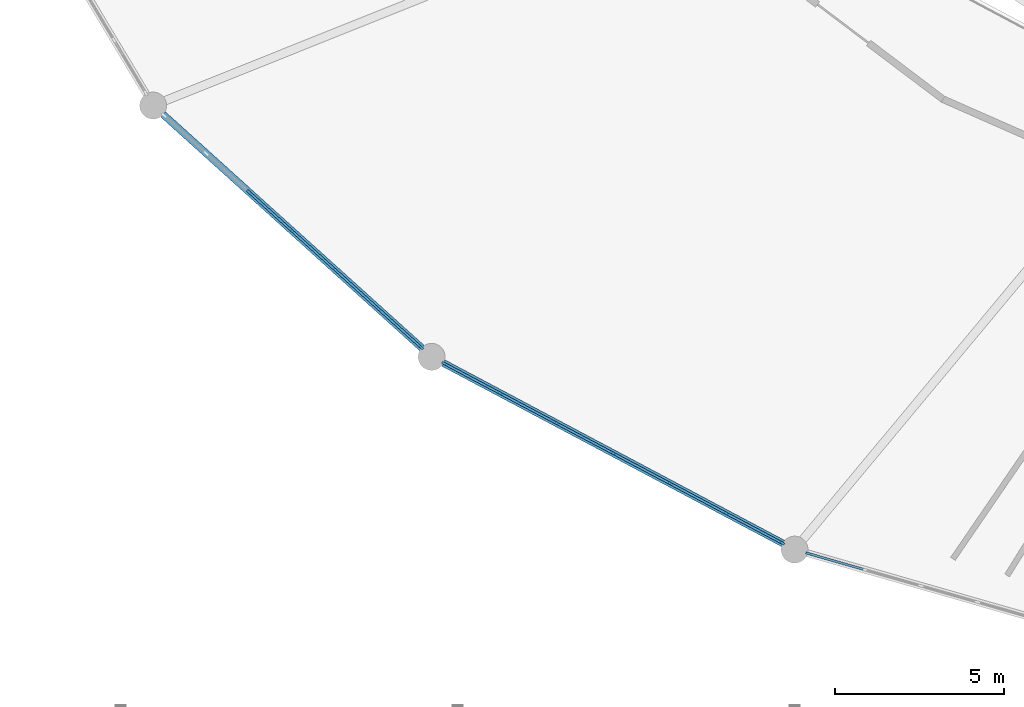
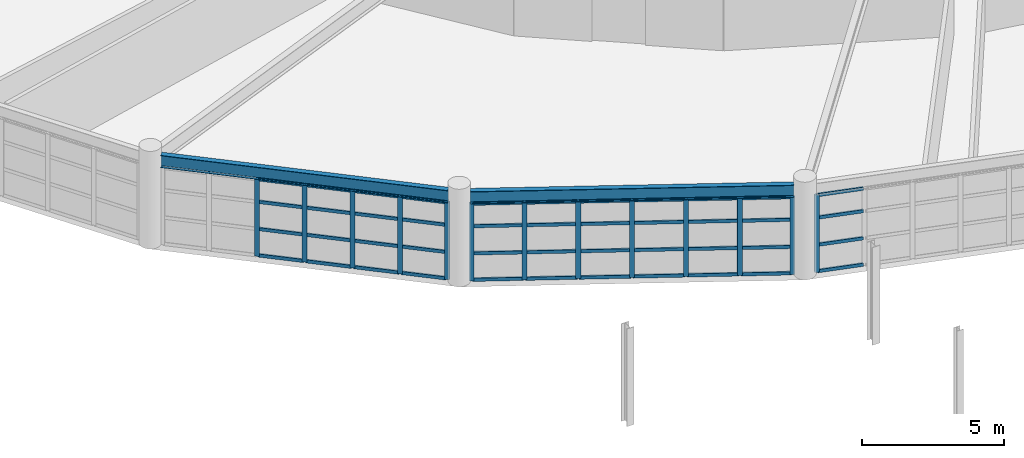
# One storey, part 24 of 100: 57 members, 2 beams, 3 elements without a shape of their own.
"""IFC4 building model written with IfcOpenShell, lengths in metres."""

from ifc_helpers import new_model, si_unit, direction, frame, origin, origin_2d, place, context, subcontext, project, spatial, rectangle, i_section, extrude, material, layer, layer_set, material_profile, profile_set, type_object, element, aggregate, save


model = new_model("IFC4")

# Units and contexts
model_context = context("Model", 3, precision=1e-05, world=origin(), true_north=direction((0.0, 1.0)))
body_context = subcontext(model_context, "Body", "Model", "MODEL_VIEW")
ifc_project = project(units=[si_unit("LENGTHUNIT", "METRE"), si_unit("AREAUNIT", "SQUARE_METRE"), si_unit("VOLUMEUNIT", "CUBIC_METRE"), si_unit("PLANEANGLEUNIT", "RADIAN"), si_unit("MASSUNIT", "GRAM", prefix="KILO")], contexts=[model_context])

# Site, building, storey
site_placement = place(None, origin())
site = spatial("IfcSite", under=ifc_project, at=site_placement, CompositionType="ELEMENT")
building_placement = place(site_placement, origin())
building = spatial("IfcBuilding", under=site, at=building_placement, Name="Kivolera Central Railway Station", CompositionType="ELEMENT")
storey_placement = place(building_placement, frame((0.0, 0.0, 5.39990234375)))
storey = spatial("IfcBuildingStorey", under=building, at=storey_placement, Name="L01", CompositionType="ELEMENT", Elevation=5.39990234375)

# Beams
ifc_material_1 = material(Name="Steel S355", Category="steel")
ifc_material_profile_1 = material_profile(ifc_material_1, i_section(OverallWidth=0.209228515625, OverallDepth=0.533203125, WebThickness=0.010009765625, FlangeThickness=0.015625, FilletRadius=0.0126953125, at=origin_2d()), Name="UB 533x210x92")
ifc_profile_set_1 = profile_set([ifc_material_profile_1], Name="Steel S355")
beam_type = type_object("IfcBeamType", Name="BM-SHD-UB533", PredefinedType="BEAM", material=ifc_profile_set_1)
beam_1_placement = place(storey_placement, frame((19.257080078125, 71.739013671875, 3.611083984375), z_axis=(0.742356199881, -0.670005427215, 0.0), x_axis=(0.670005427215, 0.742356199881, 0.0)))
element("IfcBeam", 1, at=beam_1_placement, inside=storey, type_object=beam_type, Name="L01 Oval Perimeter Ring Beam 15", PredefinedType="BEAM", context=body_context, shape_type="SweptSolid", body=[
    extrude(i_section(OverallWidth=0.209228515625, OverallDepth=0.533203125, WebThickness=0.010009765625, FlangeThickness=0.015625, FilletRadius=0.0126953125, at=origin_2d()), origin(), (0.0, 0.0, 1.0), 10.349365234375),
])
beam_2_placement = place(storey_placement, frame((27.573974609375, 64.361083984375, 3.611083984375), z_axis=(0.883155588993, -0.469080169725, 0.0), x_axis=(0.469080169725, 0.883155588993, 0.0)))
element("IfcBeam", 2, at=beam_2_placement, inside=storey, type_object=beam_type, Name="L01 Oval Perimeter Ring Beam 16", PredefinedType="BEAM", context=body_context, shape_type="SweptSolid", body=[
    extrude(i_section(OverallWidth=0.209228515625, OverallDepth=0.533203125, WebThickness=0.010009765625, FlangeThickness=0.015625, FilletRadius=0.0126953125, at=origin_2d()), origin(), (0.0, 0.0, 1.0), 11.416015625),
])

# Curtain wall, members
ifc_material_2 = material(Name="Anodised aluminium", Category="aluminium")
ifc_layer_1 = layer(ifc_material_2, 0.179931640625, Name="Anodised aluminium")
ifc_layer_set_1 = layer_set([ifc_layer_1], Name="Anodised aluminium")
curtain_wall_type_1 = type_object("IfcCurtainWallType", Name="CW-SYS-05", PredefinedType="NOTDEFINED", material=ifc_layer_set_1)
curtain_wall_1_placement = place(storey_placement, origin())
curtain_wall_1 = element("IfcCurtainWall", 3, at=curtain_wall_1_placement, inside=storey, type_object=curtain_wall_type_1, Name="L01 Curtain Wall CW-L01-OVL-14", PredefinedType="NOTDEFINED")
ifc_material_profile_2 = material_profile(ifc_material_2, rectangle(XDim=0.070068359375, YDim=0.179931640625, at=origin_2d()), Name="ALU MULL 70x180")
ifc_profile_set_2 = profile_set([ifc_material_profile_2], Name="Anodised aluminium")
member_type_1 = type_object("IfcMemberType", Name="CWM-MUL-1", PredefinedType="MULLION", material=ifc_profile_set_2)
member_1_placement = place(storey_placement, frame((26.906982421875, 64.83544921875, -0.0048828125), z_axis=(0.0, 0.0, 1.0), x_axis=(-0.66992157428, -0.742431871833, 0.0)))
member_1 = element("IfcMember", 4, at=member_1_placement, type_object=member_type_1, Name="CW-05 mullion 1", PredefinedType="MULLION", context=body_context, shape_type="SweptSolid", body=[
    extrude(rectangle(XDim=0.070068359375, YDim=0.179931640625, at=origin_2d()), origin(), (0.0, 0.0, 1.0), 3.344970703125),
])
member_2_placement = place(storey_placement, frame((25.65478515625, 65.96533203125, -0.0048828125), z_axis=(0.0, 0.0, 1.0), x_axis=(-0.66992157428, -0.742431871833, 0.0)))
member_2 = element("IfcMember", 5, at=member_2_placement, type_object=member_type_1, Name="CW-05 mullion 2", PredefinedType="MULLION", context=body_context, shape_type="SweptSolid", body=[
    extrude(rectangle(XDim=0.070068359375, YDim=0.179931640625, at=origin_2d()), origin(), (0.0, 0.0, 1.0), 3.344970703125),
])
member_3_placement = place(storey_placement, frame((24.376708984375, 67.11865234375, -0.0048828125), z_axis=(0.0, 0.0, 1.0), x_axis=(-0.66992157428, -0.742431871833, 0.0)))
member_3 = element("IfcMember", 6, at=member_3_placement, type_object=member_type_1, Name="CW-05 mullion 3", PredefinedType="MULLION", context=body_context, shape_type="SweptSolid", body=[
    extrude(rectangle(XDim=0.070068359375, YDim=0.179931640625, at=origin_2d()), origin(), (0.0, 0.0, 1.0), 3.344970703125),
])
member_4_placement = place(storey_placement, frame((23.098388671875, 68.27197265625, -0.0048828125), z_axis=(0.0, 0.0, 1.0), x_axis=(-0.66992157428, -0.742431871833, 0.0)))
member_4 = element("IfcMember", 7, at=member_4_placement, type_object=member_type_1, Name="CW-05 mullion 4", PredefinedType="MULLION", context=body_context, shape_type="SweptSolid", body=[
    extrude(rectangle(XDim=0.070068359375, YDim=0.179931640625, at=origin_2d()), origin(), (0.0, 0.0, 1.0), 3.344970703125),
])
member_5_placement = place(storey_placement, frame((21.8203125, 69.42529296875, -0.0048828125), z_axis=(0.0, 0.0, 1.0), x_axis=(-0.66992157428, -0.742431871833, 0.0)))
member_5 = element("IfcMember", 8, at=member_5_placement, type_object=member_type_1, Name="CW-05 mullion 5", PredefinedType="MULLION", context=body_context, shape_type="SweptSolid", body=[
    extrude(rectangle(XDim=0.070068359375, YDim=0.179931640625, at=origin_2d()), origin(), (0.0, 0.0, 1.0), 3.344970703125),
])

ifc_layer_2 = layer(ifc_material_2, 0.179931640625, Name="Anodised aluminium")
ifc_layer_set_2 = layer_set([ifc_layer_2], Name="Anodised aluminium")
curtain_wall_type_2 = type_object("IfcCurtainWallType", Name="CW-SYS-08", PredefinedType="NOTDEFINED", material=ifc_layer_set_2)
curtain_wall_2_placement = place(storey_placement, origin())
curtain_wall_2 = element("IfcCurtainWall", 9, at=curtain_wall_2_placement, inside=storey, type_object=curtain_wall_type_2, Name="L01 Curtain Wall CW-L01-OVL-15", PredefinedType="NOTDEFINED")
member_6_placement = place(storey_placement, frame((37.6162109375, 59.02734375, -0.0048828125), z_axis=(0.0, 0.0, 1.0), x_axis=(-0.469052563023, -0.883170251493, 0.0)))
member_6 = element("IfcMember", 10, at=member_6_placement, type_object=member_type_1, Name="CW-08 mullion 1", PredefinedType="MULLION", context=body_context, shape_type="SweptSolid", body=[
    extrude(rectangle(XDim=0.070068359375, YDim=0.179931640625, at=origin_2d()), origin(), (0.0, 0.0, 1.0), 3.344970703125),
])
member_7_placement = place(storey_placement, frame((35.9697265625, 59.90185546875, -0.0048828125), z_axis=(0.0, 0.0, 1.0), x_axis=(-0.469052563023, -0.883170251493, 0.0)))
member_7 = element("IfcMember", 11, at=member_7_placement, type_object=member_type_1, Name="CW-08 mullion 2", PredefinedType="MULLION", context=body_context, shape_type="SweptSolid", body=[
    extrude(rectangle(XDim=0.070068359375, YDim=0.179931640625, at=origin_2d()), origin(), (0.0, 0.0, 1.0), 3.344970703125),
])
member_8_placement = place(storey_placement, frame((34.292236328125, 60.792724609375, -0.0048828125), z_axis=(0.0, 0.0, 1.0), x_axis=(-0.469052563023, -0.883170251493, 0.0)))
member_8 = element("IfcMember", 12, at=member_8_placement, type_object=member_type_1, Name="CW-08 mullion 3", PredefinedType="MULLION", context=body_context, shape_type="SweptSolid", body=[
    extrude(rectangle(XDim=0.070068359375, YDim=0.179931640625, at=origin_2d()), origin(), (0.0, 0.0, 1.0), 3.344970703125),
])
member_9_placement = place(storey_placement, frame((32.614990234375, 61.68359375, -0.0048828125), z_axis=(0.0, 0.0, 1.0), x_axis=(-0.469052563023, -0.883170251493, 0.0)))
member_9 = element("IfcMember", 13, at=member_9_placement, type_object=member_type_1, Name="CW-08 mullion 4", PredefinedType="MULLION", context=body_context, shape_type="SweptSolid", body=[
    extrude(rectangle(XDim=0.070068359375, YDim=0.179931640625, at=origin_2d()), origin(), (0.0, 0.0, 1.0), 3.344970703125),
])
member_10_placement = place(storey_placement, frame((30.937744140625, 62.57421875, -0.0048828125), z_axis=(0.0, 0.0, 1.0), x_axis=(-0.469052563023, -0.883170251493, 0.0)))
member_10 = element("IfcMember", 14, at=member_10_placement, type_object=member_type_1, Name="CW-08 mullion 5", PredefinedType="MULLION", context=body_context, shape_type="SweptSolid", body=[
    extrude(rectangle(XDim=0.070068359375, YDim=0.179931640625, at=origin_2d()), origin(), (0.0, 0.0, 1.0), 3.344970703125),
])
member_11_placement = place(storey_placement, frame((29.26025390625, 63.465087890625, -0.0048828125), z_axis=(0.0, 0.0, 1.0), x_axis=(-0.469052563023, -0.883170251493, 0.0)))
member_11 = element("IfcMember", 15, at=member_11_placement, type_object=member_type_1, Name="CW-08 mullion 6", PredefinedType="MULLION", context=body_context, shape_type="SweptSolid", body=[
    extrude(rectangle(XDim=0.070068359375, YDim=0.179931640625, at=origin_2d()), origin(), (0.0, 0.0, 1.0), 3.344970703125),
])
member_12_placement = place(storey_placement, frame((27.614013671875, 64.339599609375, -0.0048828125), z_axis=(0.0, 0.0, 1.0), x_axis=(-0.469052563023, -0.883170251493, 0.0)))
member_12 = element("IfcMember", 16, at=member_12_placement, type_object=member_type_1, Name="CW-08 mullion 7", PredefinedType="MULLION", context=body_context, shape_type="SweptSolid", body=[
    extrude(rectangle(XDim=0.070068359375, YDim=0.179931640625, at=origin_2d()), origin(), (0.0, 0.0, 1.0), 3.344970703125),
])

# Curtain wall, member
ifc_layer_3 = layer(ifc_material_2, 0.179931640625, Name="Anodised aluminium")
ifc_layer_set_3 = layer_set([ifc_layer_3], Name="Anodised aluminium")
curtain_wall_type_3 = type_object("IfcCurtainWallType", Name="CW-SYS-10", PredefinedType="NOTDEFINED", material=ifc_layer_set_3)
curtain_wall_3_placement = place(storey_placement, origin())
curtain_wall_3 = element("IfcCurtainWall", 17, at=curtain_wall_3_placement, inside=storey, type_object=curtain_wall_type_3, Name="L01 Curtain Wall CW-L01-OVL-16", PredefinedType="NOTDEFINED")
member_13_placement = place(storey_placement, frame((38.418701171875, 58.703369140625, -0.0048828125), z_axis=(0.0, 0.0, 1.0), x_axis=(-0.27569168989, -0.961246114232, 0.0)))
member_13 = element("IfcMember", 18, at=member_13_placement, type_object=member_type_1, Name="CW-10 mullion 8", PredefinedType="MULLION", context=body_context, shape_type="SweptSolid", body=[
    extrude(rectangle(XDim=0.070068359375, YDim=0.179931640625, at=origin_2d()), origin(), (0.0, 0.0, 1.0), 3.344970703125),
])

# Member
ifc_material_profile_3 = material_profile(ifc_material_2, rectangle(XDim=0.070068359375, YDim=0.139892578125, at=origin_2d()), Name="ALU TRAN 70x140")
ifc_profile_set_3 = profile_set([ifc_material_profile_3], Name="Anodised aluminium")
member_type_2 = type_object("IfcMemberType", Name="CWM-TRN-1", PredefinedType="USERDEFINED", material=ifc_profile_set_3)
member_14_placement = place(storey_placement, frame((26.881103515625, 64.85888671875, 0.03515625), z_axis=(-0.742422429893, 0.66993203804, 0.0), x_axis=(-0.66993203804, -0.742422429893, 0.0)))
member_14 = element("IfcMember", 19, at=member_14_placement, type_object=member_type_2, Name="CW-05 transom 1.1", ObjectType="TRANSOM", PredefinedType="USERDEFINED", context=body_context, shape_type="SweptSolid", body=[
    extrude(rectangle(XDim=0.070068359375, YDim=0.139892578125, at=origin_2d()), origin(), (0.0, 0.0, 1.0), 1.61669921875),
])

member_15_placement = place(storey_placement, frame((26.881103515625, 64.85888671875, 1.169189453125), z_axis=(-0.742422429893, 0.66993203804, 0.0), x_axis=(-0.66993203804, -0.742422429893, 0.0)))
member_15 = element("IfcMember", 20, at=member_15_placement, type_object=member_type_2, Name="CW-05 transom 1.2", ObjectType="TRANSOM", PredefinedType="USERDEFINED", context=body_context, shape_type="SweptSolid", body=[
    extrude(rectangle(XDim=0.070068359375, YDim=0.139892578125, at=origin_2d()), origin(), (0.0, 0.0, 1.0), 1.61669921875),
])

member_16_placement = place(storey_placement, frame((26.881103515625, 64.85888671875, 2.338134765625), z_axis=(-0.742422429893, 0.66993203804, 0.0), x_axis=(-0.66993203804, -0.742422429893, 0.0)))
member_16 = element("IfcMember", 21, at=member_16_placement, type_object=member_type_2, Name="CW-05 transom 1.3", ObjectType="TRANSOM", PredefinedType="USERDEFINED", context=body_context, shape_type="SweptSolid", body=[
    extrude(rectangle(XDim=0.070068359375, YDim=0.139892578125, at=origin_2d()), origin(), (0.0, 0.0, 1.0), 1.61669921875),
])

member_17_placement = place(storey_placement, frame((26.881103515625, 64.85888671875, 3.30517578125), z_axis=(-0.742422429893, 0.66993203804, 0.0), x_axis=(-0.66993203804, -0.742422429893, 0.0)))
member_17 = element("IfcMember", 22, at=member_17_placement, type_object=member_type_2, Name="CW-05 transom 1.4", ObjectType="TRANSOM", PredefinedType="USERDEFINED", context=body_context, shape_type="SweptSolid", body=[
    extrude(rectangle(XDim=0.070068359375, YDim=0.139892578125, at=origin_2d()), origin(), (0.0, 0.0, 1.0), 1.61669921875),
])

member_18_placement = place(storey_placement, frame((25.62890625, 65.98876953125, 0.03515625), z_axis=(-0.74246304586, 0.669887024455, 0.0), x_axis=(-0.669887024455, -0.74246304586, 0.0)))
member_18 = element("IfcMember", 23, at=member_18_placement, type_object=member_type_2, Name="CW-05 transom 2.1", ObjectType="TRANSOM", PredefinedType="USERDEFINED", context=body_context, shape_type="SweptSolid", body=[
    extrude(rectangle(XDim=0.070068359375, YDim=0.139892578125, at=origin_2d()), origin(), (0.0, 0.0, 1.0), 1.651611328125),
])

member_19_placement = place(storey_placement, frame((25.62890625, 65.98876953125, 1.169189453125), z_axis=(-0.74246304586, 0.669887024455, 0.0), x_axis=(-0.669887024455, -0.74246304586, 0.0)))
member_19 = element("IfcMember", 24, at=member_19_placement, type_object=member_type_2, Name="CW-05 transom 2.2", ObjectType="TRANSOM", PredefinedType="USERDEFINED", context=body_context, shape_type="SweptSolid", body=[
    extrude(rectangle(XDim=0.070068359375, YDim=0.139892578125, at=origin_2d()), origin(), (0.0, 0.0, 1.0), 1.651611328125),
])

member_20_placement = place(storey_placement, frame((25.62890625, 65.98876953125, 2.338134765625), z_axis=(-0.74246304586, 0.669887024455, 0.0), x_axis=(-0.669887024455, -0.74246304586, 0.0)))
member_20 = element("IfcMember", 25, at=member_20_placement, type_object=member_type_2, Name="CW-05 transom 2.3", ObjectType="TRANSOM", PredefinedType="USERDEFINED", context=body_context, shape_type="SweptSolid", body=[
    extrude(rectangle(XDim=0.070068359375, YDim=0.139892578125, at=origin_2d()), origin(), (0.0, 0.0, 1.0), 1.651611328125),
])

member_21_placement = place(storey_placement, frame((25.62890625, 65.98876953125, 3.30517578125), z_axis=(-0.74246304586, 0.669887024455, 0.0), x_axis=(-0.669887024455, -0.74246304586, 0.0)))
member_21 = element("IfcMember", 26, at=member_21_placement, type_object=member_type_2, Name="CW-05 transom 2.4", ObjectType="TRANSOM", PredefinedType="USERDEFINED", context=body_context, shape_type="SweptSolid", body=[
    extrude(rectangle(XDim=0.070068359375, YDim=0.139892578125, at=origin_2d()), origin(), (0.0, 0.0, 1.0), 1.651611328125),
])

member_22_placement = place(storey_placement, frame((24.3505859375, 67.14208984375, 0.03515625), z_axis=(-0.742396704206, 0.669960546289, 0.0), x_axis=(-0.669960546289, -0.742396704206, 0.0)))
member_22 = element("IfcMember", 27, at=member_22_placement, type_object=member_type_2, Name="CW-05 transom 3.1", ObjectType="TRANSOM", PredefinedType="USERDEFINED", context=body_context, shape_type="SweptSolid", body=[
    extrude(rectangle(XDim=0.070068359375, YDim=0.139892578125, at=origin_2d()), origin(), (0.0, 0.0, 1.0), 1.651611328125),
])

member_23_placement = place(storey_placement, frame((24.3505859375, 67.14208984375, 1.169189453125), z_axis=(-0.742396704206, 0.669960546289, 0.0), x_axis=(-0.669960546289, -0.742396704206, 0.0)))
member_23 = element("IfcMember", 28, at=member_23_placement, type_object=member_type_2, Name="CW-05 transom 3.2", ObjectType="TRANSOM", PredefinedType="USERDEFINED", context=body_context, shape_type="SweptSolid", body=[
    extrude(rectangle(XDim=0.070068359375, YDim=0.139892578125, at=origin_2d()), origin(), (0.0, 0.0, 1.0), 1.651611328125),
])

member_24_placement = place(storey_placement, frame((24.3505859375, 67.14208984375, 2.338134765625), z_axis=(-0.742396704206, 0.669960546289, 0.0), x_axis=(-0.669960546289, -0.742396704206, 0.0)))
member_24 = element("IfcMember", 29, at=member_24_placement, type_object=member_type_2, Name="CW-05 transom 3.3", ObjectType="TRANSOM", PredefinedType="USERDEFINED", context=body_context, shape_type="SweptSolid", body=[
    extrude(rectangle(XDim=0.070068359375, YDim=0.139892578125, at=origin_2d()), origin(), (0.0, 0.0, 1.0), 1.651611328125),
])

member_25_placement = place(storey_placement, frame((24.3505859375, 67.14208984375, 3.30517578125), z_axis=(-0.742396704206, 0.669960546289, 0.0), x_axis=(-0.669960546289, -0.742396704206, 0.0)))
member_25 = element("IfcMember", 30, at=member_25_placement, type_object=member_type_2, Name="CW-05 transom 3.4", ObjectType="TRANSOM", PredefinedType="USERDEFINED", context=body_context, shape_type="SweptSolid", body=[
    extrude(rectangle(XDim=0.070068359375, YDim=0.139892578125, at=origin_2d()), origin(), (0.0, 0.0, 1.0), 1.651611328125),
])

member_26_placement = place(storey_placement, frame((23.072509765625, 68.29541015625, 0.03515625), z_axis=(-0.742396704206, 0.669960546289, 0.0), x_axis=(-0.669960546289, -0.742396704206, 0.0)))
member_26 = element("IfcMember", 31, at=member_26_placement, type_object=member_type_2, Name="CW-05 transom 4.1", ObjectType="TRANSOM", PredefinedType="USERDEFINED", context=body_context, shape_type="SweptSolid", body=[
    extrude(rectangle(XDim=0.070068359375, YDim=0.139892578125, at=origin_2d()), origin(), (0.0, 0.0, 1.0), 1.651611328125),
])

member_27_placement = place(storey_placement, frame((23.072509765625, 68.29541015625, 1.169189453125), z_axis=(-0.742396704206, 0.669960546289, 0.0), x_axis=(-0.669960546289, -0.742396704206, 0.0)))
member_27 = element("IfcMember", 32, at=member_27_placement, type_object=member_type_2, Name="CW-05 transom 4.2", ObjectType="TRANSOM", PredefinedType="USERDEFINED", context=body_context, shape_type="SweptSolid", body=[
    extrude(rectangle(XDim=0.070068359375, YDim=0.139892578125, at=origin_2d()), origin(), (0.0, 0.0, 1.0), 1.651611328125),
])

member_28_placement = place(storey_placement, frame((23.072509765625, 68.29541015625, 2.338134765625), z_axis=(-0.742396704206, 0.669960546289, 0.0), x_axis=(-0.669960546289, -0.742396704206, 0.0)))
member_28 = element("IfcMember", 33, at=member_28_placement, type_object=member_type_2, Name="CW-05 transom 4.3", ObjectType="TRANSOM", PredefinedType="USERDEFINED", context=body_context, shape_type="SweptSolid", body=[
    extrude(rectangle(XDim=0.070068359375, YDim=0.139892578125, at=origin_2d()), origin(), (0.0, 0.0, 1.0), 1.651611328125),
])

member_29_placement = place(storey_placement, frame((23.072509765625, 68.29541015625, 3.30517578125), z_axis=(-0.742396704206, 0.669960546289, 0.0), x_axis=(-0.669960546289, -0.742396704206, 0.0)))
member_29 = element("IfcMember", 34, at=member_29_placement, type_object=member_type_2, Name="CW-05 transom 4.4", ObjectType="TRANSOM", PredefinedType="USERDEFINED", context=body_context, shape_type="SweptSolid", body=[
    extrude(rectangle(XDim=0.070068359375, YDim=0.139892578125, at=origin_2d()), origin(), (0.0, 0.0, 1.0), 1.651611328125),
])

aggregate(curtain_wall_1, [member_1, member_2, member_3, member_4, member_5, member_14, member_15, member_16, member_17, member_18, member_19, member_20, member_21, member_22, member_23, member_24, member_25, member_26, member_27, member_28, member_29])

member_30_placement = place(storey_placement, frame((37.585205078125, 59.0439453125, 0.03515625), z_axis=(-0.883191460259, 0.469012627255, 0.0), x_axis=(-0.469012627255, -0.883191460259, 0.0)))
member_30 = element("IfcMember", 35, at=member_30_placement, type_object=member_type_2, Name="CW-08 transom 1.1", ObjectType="TRANSOM", PredefinedType="USERDEFINED", context=body_context, shape_type="SweptSolid", body=[
    extrude(rectangle(XDim=0.070068359375, YDim=0.139892578125, at=origin_2d()), origin(), (0.0, 0.0, 1.0), 1.794189453125),
])

member_31_placement = place(storey_placement, frame((37.585205078125, 59.0439453125, 1.169189453125), z_axis=(-0.883191460259, 0.469012627255, 0.0), x_axis=(-0.469012627255, -0.883191460259, 0.0)))
member_31 = element("IfcMember", 36, at=member_31_placement, type_object=member_type_2, Name="CW-08 transom 1.2", ObjectType="TRANSOM", PredefinedType="USERDEFINED", context=body_context, shape_type="SweptSolid", body=[
    extrude(rectangle(XDim=0.070068359375, YDim=0.139892578125, at=origin_2d()), origin(), (0.0, 0.0, 1.0), 1.794189453125),
])

member_32_placement = place(storey_placement, frame((37.585205078125, 59.0439453125, 2.338134765625), z_axis=(-0.883191460259, 0.469012627255, 0.0), x_axis=(-0.469012627255, -0.883191460259, 0.0)))
member_32 = element("IfcMember", 37, at=member_32_placement, type_object=member_type_2, Name="CW-08 transom 1.3", ObjectType="TRANSOM", PredefinedType="USERDEFINED", context=body_context, shape_type="SweptSolid", body=[
    extrude(rectangle(XDim=0.070068359375, YDim=0.139892578125, at=origin_2d()), origin(), (0.0, 0.0, 1.0), 1.794189453125),
])

member_33_placement = place(storey_placement, frame((37.585205078125, 59.0439453125, 3.30517578125), z_axis=(-0.883191460259, 0.469012627255, 0.0), x_axis=(-0.469012627255, -0.883191460259, 0.0)))
member_33 = element("IfcMember", 38, at=member_33_placement, type_object=member_type_2, Name="CW-08 transom 1.4", ObjectType="TRANSOM", PredefinedType="USERDEFINED", context=body_context, shape_type="SweptSolid", body=[
    extrude(rectangle(XDim=0.070068359375, YDim=0.139892578125, at=origin_2d()), origin(), (0.0, 0.0, 1.0), 1.794189453125),
])

member_34_placement = place(storey_placement, frame((35.938720703125, 59.918212890625, 0.03515625), z_axis=(-0.883131271136, 0.469125951042, 0.0), x_axis=(-0.469125951042, -0.883131271136, 0.0)))
member_34 = element("IfcMember", 39, at=member_34_placement, type_object=member_type_2, Name="CW-08 transom 2.1", ObjectType="TRANSOM", PredefinedType="USERDEFINED", context=body_context, shape_type="SweptSolid", body=[
    extrude(rectangle(XDim=0.070068359375, YDim=0.139892578125, at=origin_2d()), origin(), (0.0, 0.0, 1.0), 1.829345703125),
])

member_35_placement = place(storey_placement, frame((35.938720703125, 59.918212890625, 1.169189453125), z_axis=(-0.883131271136, 0.469125951042, 0.0), x_axis=(-0.469125951042, -0.883131271136, 0.0)))
member_35 = element("IfcMember", 40, at=member_35_placement, type_object=member_type_2, Name="CW-08 transom 2.2", ObjectType="TRANSOM", PredefinedType="USERDEFINED", context=body_context, shape_type="SweptSolid", body=[
    extrude(rectangle(XDim=0.070068359375, YDim=0.139892578125, at=origin_2d()), origin(), (0.0, 0.0, 1.0), 1.829345703125),
])

member_36_placement = place(storey_placement, frame((35.938720703125, 59.918212890625, 2.338134765625), z_axis=(-0.883131271136, 0.469125951042, 0.0), x_axis=(-0.469125951042, -0.883131271136, 0.0)))
member_36 = element("IfcMember", 41, at=member_36_placement, type_object=member_type_2, Name="CW-08 transom 2.3", ObjectType="TRANSOM", PredefinedType="USERDEFINED", context=body_context, shape_type="SweptSolid", body=[
    extrude(rectangle(XDim=0.070068359375, YDim=0.139892578125, at=origin_2d()), origin(), (0.0, 0.0, 1.0), 1.829345703125),
])

member_37_placement = place(storey_placement, frame((35.938720703125, 59.918212890625, 3.30517578125), z_axis=(-0.883131271136, 0.469125951042, 0.0), x_axis=(-0.469125951042, -0.883131271136, 0.0)))
member_37 = element("IfcMember", 42, at=member_37_placement, type_object=member_type_2, Name="CW-08 transom 2.4", ObjectType="TRANSOM", PredefinedType="USERDEFINED", context=body_context, shape_type="SweptSolid", body=[
    extrude(rectangle(XDim=0.070068359375, YDim=0.139892578125, at=origin_2d()), origin(), (0.0, 0.0, 1.0), 1.829345703125),
])

member_38_placement = place(storey_placement, frame((34.261474609375, 60.80908203125, 0.03515625), z_axis=(-0.88318656257, 0.469021849913, 0.0), x_axis=(-0.469021849913, -0.88318656257, 0.0)))
member_38 = element("IfcMember", 43, at=member_38_placement, type_object=member_type_2, Name="CW-08 transom 3.1", ObjectType="TRANSOM", PredefinedType="USERDEFINED", context=body_context, shape_type="SweptSolid", body=[
    extrude(rectangle(XDim=0.070068359375, YDim=0.139892578125, at=origin_2d()), origin(), (0.0, 0.0, 1.0), 1.8291015625),
])

member_39_placement = place(storey_placement, frame((34.261474609375, 60.80908203125, 1.169189453125), z_axis=(-0.88318656257, 0.469021849913, 0.0), x_axis=(-0.469021849913, -0.88318656257, 0.0)))
member_39 = element("IfcMember", 44, at=member_39_placement, type_object=member_type_2, Name="CW-08 transom 3.2", ObjectType="TRANSOM", PredefinedType="USERDEFINED", context=body_context, shape_type="SweptSolid", body=[
    extrude(rectangle(XDim=0.070068359375, YDim=0.139892578125, at=origin_2d()), origin(), (0.0, 0.0, 1.0), 1.8291015625),
])

member_40_placement = place(storey_placement, frame((34.261474609375, 60.80908203125, 2.338134765625), z_axis=(-0.88318656257, 0.469021849913, 0.0), x_axis=(-0.469021849913, -0.88318656257, 0.0)))
member_40 = element("IfcMember", 45, at=member_40_placement, type_object=member_type_2, Name="CW-08 transom 3.3", ObjectType="TRANSOM", PredefinedType="USERDEFINED", context=body_context, shape_type="SweptSolid", body=[
    extrude(rectangle(XDim=0.070068359375, YDim=0.139892578125, at=origin_2d()), origin(), (0.0, 0.0, 1.0), 1.8291015625),
])

member_41_placement = place(storey_placement, frame((34.261474609375, 60.80908203125, 3.30517578125), z_axis=(-0.88318656257, 0.469021849913, 0.0), x_axis=(-0.469021849913, -0.88318656257, 0.0)))
member_41 = element("IfcMember", 46, at=member_41_placement, type_object=member_type_2, Name="CW-08 transom 3.4", ObjectType="TRANSOM", PredefinedType="USERDEFINED", context=body_context, shape_type="SweptSolid", body=[
    extrude(rectangle(XDim=0.070068359375, YDim=0.139892578125, at=origin_2d()), origin(), (0.0, 0.0, 1.0), 1.8291015625),
])

member_42_placement = place(storey_placement, frame((32.583984375, 61.699951171875, 0.03515625), z_axis=(-0.88318656257, 0.469021849913, 0.0), x_axis=(-0.469021849913, -0.88318656257, 0.0)))
member_42 = element("IfcMember", 47, at=member_42_placement, type_object=member_type_2, Name="CW-08 transom 4.1", ObjectType="TRANSOM", PredefinedType="USERDEFINED", context=body_context, shape_type="SweptSolid", body=[
    extrude(rectangle(XDim=0.070068359375, YDim=0.139892578125, at=origin_2d()), origin(), (0.0, 0.0, 1.0), 1.8291015625),
])

member_43_placement = place(storey_placement, frame((32.583984375, 61.699951171875, 1.169189453125), z_axis=(-0.88318656257, 0.469021849913, 0.0), x_axis=(-0.469021849913, -0.88318656257, 0.0)))
member_43 = element("IfcMember", 48, at=member_43_placement, type_object=member_type_2, Name="CW-08 transom 4.2", ObjectType="TRANSOM", PredefinedType="USERDEFINED", context=body_context, shape_type="SweptSolid", body=[
    extrude(rectangle(XDim=0.070068359375, YDim=0.139892578125, at=origin_2d()), origin(), (0.0, 0.0, 1.0), 1.8291015625),
])

member_44_placement = place(storey_placement, frame((32.583984375, 61.699951171875, 2.338134765625), z_axis=(-0.88318656257, 0.469021849913, 0.0), x_axis=(-0.469021849913, -0.88318656257, 0.0)))
member_44 = element("IfcMember", 49, at=member_44_placement, type_object=member_type_2, Name="CW-08 transom 4.3", ObjectType="TRANSOM", PredefinedType="USERDEFINED", context=body_context, shape_type="SweptSolid", body=[
    extrude(rectangle(XDim=0.070068359375, YDim=0.139892578125, at=origin_2d()), origin(), (0.0, 0.0, 1.0), 1.8291015625),
])

member_45_placement = place(storey_placement, frame((32.583984375, 61.699951171875, 3.30517578125), z_axis=(-0.88318656257, 0.469021849913, 0.0), x_axis=(-0.469021849913, -0.88318656257, 0.0)))
member_45 = element("IfcMember", 50, at=member_45_placement, type_object=member_type_2, Name="CW-08 transom 4.4", ObjectType="TRANSOM", PredefinedType="USERDEFINED", context=body_context, shape_type="SweptSolid", body=[
    extrude(rectangle(XDim=0.070068359375, YDim=0.139892578125, at=origin_2d()), origin(), (0.0, 0.0, 1.0), 1.8291015625),
])

member_46_placement = place(storey_placement, frame((30.90673828125, 62.5908203125, 0.03515625), z_axis=(-0.88318656257, 0.469021849913, 0.0), x_axis=(-0.469021849913, -0.88318656257, 0.0)))
member_46 = element("IfcMember", 51, at=member_46_placement, type_object=member_type_2, Name="CW-08 transom 5.1", ObjectType="TRANSOM", PredefinedType="USERDEFINED", context=body_context, shape_type="SweptSolid", body=[
    extrude(rectangle(XDim=0.070068359375, YDim=0.139892578125, at=origin_2d()), origin(), (0.0, 0.0, 1.0), 1.8291015625),
])

member_47_placement = place(storey_placement, frame((30.90673828125, 62.5908203125, 1.169189453125), z_axis=(-0.88318656257, 0.469021849913, 0.0), x_axis=(-0.469021849913, -0.88318656257, 0.0)))
member_47 = element("IfcMember", 52, at=member_47_placement, type_object=member_type_2, Name="CW-08 transom 5.2", ObjectType="TRANSOM", PredefinedType="USERDEFINED", context=body_context, shape_type="SweptSolid", body=[
    extrude(rectangle(XDim=0.070068359375, YDim=0.139892578125, at=origin_2d()), origin(), (0.0, 0.0, 1.0), 1.8291015625),
])

member_48_placement = place(storey_placement, frame((30.90673828125, 62.5908203125, 2.338134765625), z_axis=(-0.88318656257, 0.469021849913, 0.0), x_axis=(-0.469021849913, -0.88318656257, 0.0)))
member_48 = element("IfcMember", 53, at=member_48_placement, type_object=member_type_2, Name="CW-08 transom 5.3", ObjectType="TRANSOM", PredefinedType="USERDEFINED", context=body_context, shape_type="SweptSolid", body=[
    extrude(rectangle(XDim=0.070068359375, YDim=0.139892578125, at=origin_2d()), origin(), (0.0, 0.0, 1.0), 1.8291015625),
])

member_49_placement = place(storey_placement, frame((30.90673828125, 62.5908203125, 3.30517578125), z_axis=(-0.88318656257, 0.469021849913, 0.0), x_axis=(-0.469021849913, -0.88318656257, 0.0)))
member_49 = element("IfcMember", 54, at=member_49_placement, type_object=member_type_2, Name="CW-08 transom 5.4", ObjectType="TRANSOM", PredefinedType="USERDEFINED", context=body_context, shape_type="SweptSolid", body=[
    extrude(rectangle(XDim=0.070068359375, YDim=0.139892578125, at=origin_2d()), origin(), (0.0, 0.0, 1.0), 1.8291015625),
])

member_50_placement = place(storey_placement, frame((29.2294921875, 63.481689453125, 0.03515625), z_axis=(-0.883191460259, 0.469012627255, 0.0), x_axis=(-0.469012627255, -0.883191460259, 0.0)))
member_50 = element("IfcMember", 55, at=member_50_placement, type_object=member_type_2, Name="CW-08 transom 6.1", ObjectType="TRANSOM", PredefinedType="USERDEFINED", context=body_context, shape_type="SweptSolid", body=[
    extrude(rectangle(XDim=0.070068359375, YDim=0.139892578125, at=origin_2d()), origin(), (0.0, 0.0, 1.0), 1.794189453125),
])

member_51_placement = place(storey_placement, frame((29.2294921875, 63.481689453125, 1.169189453125), z_axis=(-0.883191460259, 0.469012627255, 0.0), x_axis=(-0.469012627255, -0.883191460259, 0.0)))
member_51 = element("IfcMember", 56, at=member_51_placement, type_object=member_type_2, Name="CW-08 transom 6.2", ObjectType="TRANSOM", PredefinedType="USERDEFINED", context=body_context, shape_type="SweptSolid", body=[
    extrude(rectangle(XDim=0.070068359375, YDim=0.139892578125, at=origin_2d()), origin(), (0.0, 0.0, 1.0), 1.794189453125),
])

member_52_placement = place(storey_placement, frame((29.2294921875, 63.481689453125, 2.338134765625), z_axis=(-0.883191460259, 0.469012627255, 0.0), x_axis=(-0.469012627255, -0.883191460259, 0.0)))
member_52 = element("IfcMember", 57, at=member_52_placement, type_object=member_type_2, Name="CW-08 transom 6.3", ObjectType="TRANSOM", PredefinedType="USERDEFINED", context=body_context, shape_type="SweptSolid", body=[
    extrude(rectangle(XDim=0.070068359375, YDim=0.139892578125, at=origin_2d()), origin(), (0.0, 0.0, 1.0), 1.794189453125),
])

member_53_placement = place(storey_placement, frame((29.2294921875, 63.481689453125, 3.30517578125), z_axis=(-0.883191460259, 0.469012627255, 0.0), x_axis=(-0.469012627255, -0.883191460259, 0.0)))
member_53 = element("IfcMember", 58, at=member_53_placement, type_object=member_type_2, Name="CW-08 transom 6.4", ObjectType="TRANSOM", PredefinedType="USERDEFINED", context=body_context, shape_type="SweptSolid", body=[
    extrude(rectangle(XDim=0.070068359375, YDim=0.139892578125, at=origin_2d()), origin(), (0.0, 0.0, 1.0), 1.794189453125),
])

aggregate(curtain_wall_2, [member_6, member_7, member_8, member_9, member_10, member_11, member_12, member_30, member_31, member_32, member_33, member_34, member_35, member_36, member_37, member_38, member_39, member_40, member_41, member_42, member_43, member_44, member_45, member_46, member_47, member_48, member_49, member_50, member_51, member_52, member_53])

member_54_placement = place(storey_placement, frame((40.032958984375, 58.240478515625, 0.03515625), z_axis=(-0.961277023143, 0.275583897892, 0.0), x_axis=(-0.275583897892, -0.961277023143, 0.0)))
member_54 = element("IfcMember", 59, at=member_54_placement, type_object=member_type_2, Name="CW-10 transom 7.1", ObjectType="TRANSOM", PredefinedType="USERDEFINED", context=body_context, shape_type="SweptSolid", body=[
    extrude(rectangle(XDim=0.070068359375, YDim=0.139892578125, at=origin_2d()), origin(), (0.0, 0.0, 1.0), 1.644287109375),
])

member_55_placement = place(storey_placement, frame((40.032958984375, 58.240478515625, 1.169189453125), z_axis=(-0.961277023143, 0.275583897892, 0.0), x_axis=(-0.275583897892, -0.961277023143, 0.0)))
member_55 = element("IfcMember", 60, at=member_55_placement, type_object=member_type_2, Name="CW-10 transom 7.2", ObjectType="TRANSOM", PredefinedType="USERDEFINED", context=body_context, shape_type="SweptSolid", body=[
    extrude(rectangle(XDim=0.070068359375, YDim=0.139892578125, at=origin_2d()), origin(), (0.0, 0.0, 1.0), 1.644287109375),
])

member_56_placement = place(storey_placement, frame((40.032958984375, 58.240478515625, 2.338134765625), z_axis=(-0.961277023143, 0.275583897892, 0.0), x_axis=(-0.275583897892, -0.961277023143, 0.0)))
member_56 = element("IfcMember", 61, at=member_56_placement, type_object=member_type_2, Name="CW-10 transom 7.3", ObjectType="TRANSOM", PredefinedType="USERDEFINED", context=body_context, shape_type="SweptSolid", body=[
    extrude(rectangle(XDim=0.070068359375, YDim=0.139892578125, at=origin_2d()), origin(), (0.0, 0.0, 1.0), 1.644287109375),
])

member_57_placement = place(storey_placement, frame((40.032958984375, 58.240478515625, 3.30517578125), z_axis=(-0.961277023143, 0.275583897892, 0.0), x_axis=(-0.275583897892, -0.961277023143, 0.0)))
member_57 = element("IfcMember", 62, at=member_57_placement, type_object=member_type_2, Name="CW-10 transom 7.4", ObjectType="TRANSOM", PredefinedType="USERDEFINED", context=body_context, shape_type="SweptSolid", body=[
    extrude(rectangle(XDim=0.070068359375, YDim=0.139892578125, at=origin_2d()), origin(), (0.0, 0.0, 1.0), 1.644287109375),
])

aggregate(curtain_wall_3, [member_13, member_54, member_55, member_56, member_57])

save(model, "model.ifc")
